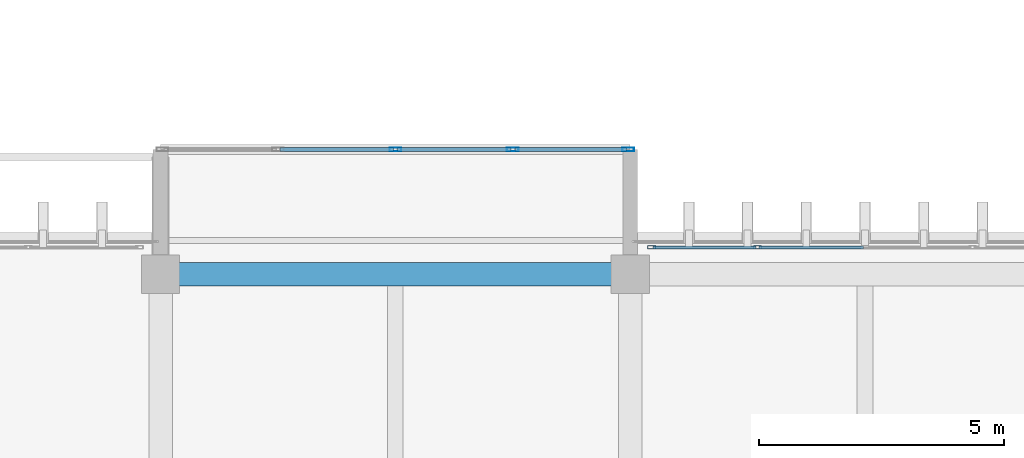
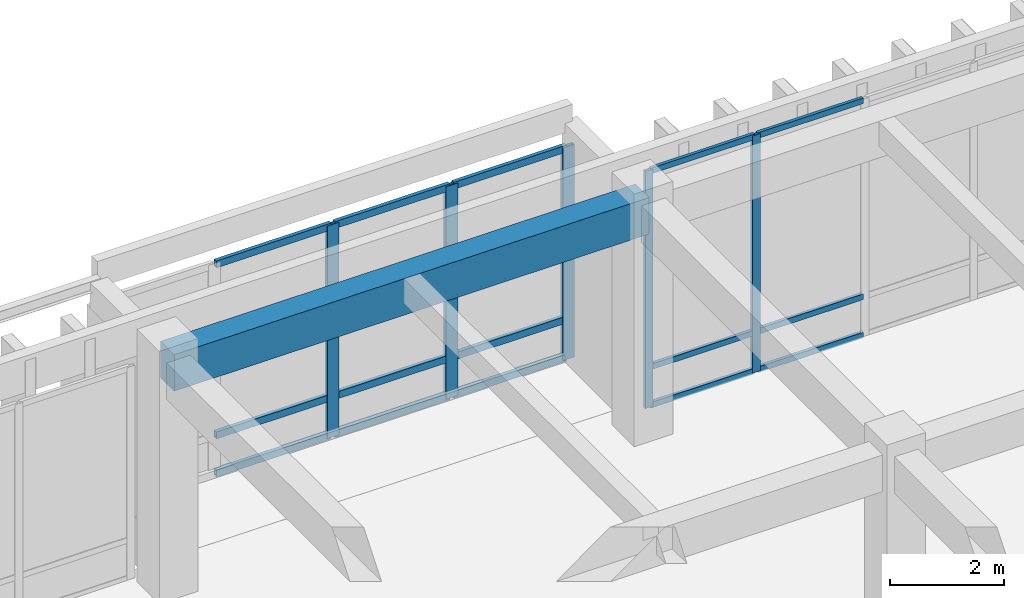
# One storey, part 50 of 134: 20 members, 1 beam, 2 elements without a shape of their own.
"""IFC4 building model written with IfcOpenShell, lengths in metres."""

from ifc_helpers import new_model, si_unit, direction, frame, origin, origin_2d, place, context, subcontext, project, spatial, rectangle, hollow_rectangle, extrude, material, layer, layer_set, material_profile, profile_set, type_object, element, aggregate, save


model = new_model("IFC4")

# Units and contexts
model_context = context("Model", 3, precision=1e-05, world=origin(), true_north=direction((0.0, 1.0)))
body_context = subcontext(model_context, "Body", "Model", "MODEL_VIEW")
ifc_project = project(units=[si_unit("LENGTHUNIT", "METRE"), si_unit("AREAUNIT", "SQUARE_METRE"), si_unit("VOLUMEUNIT", "CUBIC_METRE"), si_unit("PLANEANGLEUNIT", "RADIAN"), si_unit("MASSUNIT", "GRAM", prefix="KILO")], contexts=[model_context])

# Site, building, storey
site_placement = place(None, origin())
site = spatial("IfcSite", under=ifc_project, at=site_placement, CompositionType="ELEMENT")
building_placement = place(site_placement, origin())
building = spatial("IfcBuilding", under=site, at=building_placement, Name="Nakhvara Creek Congress Hotel", CompositionType="ELEMENT")
storey_placement = place(building_placement, frame((0.0, 0.0, 6.0)))
storey = spatial("IfcBuildingStorey", under=building, at=storey_placement, Name="L01", CompositionType="ELEMENT", Elevation=6.0)

# Beam
ifc_material_1 = material(Name="Concrete C40/50", Category="concrete")
ifc_material_profile_1 = material_profile(ifc_material_1, rectangle(XDim=0.47998046875, YDim=0.780029296875, at=origin_2d()), Name="RC-BM 480x780", Category="LoadBearing")
ifc_profile_set_1 = profile_set([ifc_material_profile_1], Name="Concrete C40/50")
beam_type = type_object("IfcBeamType", Name="BM-RC-480X780", PredefinedType="BEAM", material=ifc_profile_set_1)
beam_placement = place(storey_placement, frame((76.800048828125, 95.25, 4.7099609375), z_axis=(1.0, 0.0, 0.0), x_axis=(0.0, 1.0, 0.0)))
element("IfcBeam", 1, at=beam_placement, inside=storey, type_object=beam_type, Name="Beam B13-L01-1163", PredefinedType="BEAM", context=body_context, shape_type="SweptSolid", body=[
    extrude(rectangle(XDim=0.47998046875, YDim=0.780029296875, at=origin_2d()), origin(), (0.0, 0.0, 1.0), 9.599853515625),
])

# Curtain wall, members
ifc_material_2 = material(Name="Bronze-anodised aluminium AW-6063-T6 and double-silver low-E glass", Category="aluminium")
ifc_layer_1 = layer(ifc_material_2, 0.199951171875)
ifc_layer_set_1 = layer_set([ifc_layer_1], Name="Bronze-anodised aluminium AW-6063-T6 and double-silver low-E glass")
curtain_wall_type_1 = type_object("IfcCurtainWallType", Name="CW-POD-STICK", PredefinedType="NOTDEFINED", material=ifc_layer_set_1)
curtain_wall_1_placement = place(storey_placement, origin())
curtain_wall_1 = element("IfcCurtainWall", 2, at=curtain_wall_1_placement, inside=storey, type_object=curtain_wall_type_1, Name="Curtain Wall CW070", PredefinedType="NOTDEFINED")
ifc_material_3 = material(Name="Bronze-anodised aluminium AW-6063-T6", Category="aluminium")
ifc_material_profile_2 = material_profile(ifc_material_3, hollow_rectangle(XDim=0.06494140625, YDim=0.159912109375, WallThickness=0.00390625, at=origin_2d()), Name="ALU-MULL 65x160x4", Category="LoadBearing")
ifc_profile_set_2 = profile_set([ifc_material_profile_2], Name="Bronze-anodised aluminium AW-6063-T6")
member_type_1 = type_object("IfcMemberType", Name="CW-MULL-160", PredefinedType="MULLION", material=ifc_profile_set_2)
member_1_placement = place(storey_placement, frame((86.83740234375, 95.800048828125, 0.0), z_axis=(0.0, 0.0, 1.0), x_axis=(0.0, 1.0, 0.0)))
member_1 = element("IfcMember", 3, at=member_1_placement, type_object=member_type_1, Name="CW070 mullion 1", PredefinedType="MULLION", context=body_context, shape_type="SweptSolid", body=[
    extrude(hollow_rectangle(XDim=0.06494140625, YDim=0.159912109375, WallThickness=0.00390625, at=origin_2d()), origin(), (0.0, 0.0, 1.0), 5.070068359375),
])
member_2_placement = place(storey_placement, frame((89.00244140625, 95.800048828125, 0.0), z_axis=(0.0, 0.0, 1.0), x_axis=(0.0, 1.0, 0.0)))
member_2 = element("IfcMember", 4, at=member_2_placement, type_object=member_type_1, Name="CW070 mullion 2", PredefinedType="MULLION", context=body_context, shape_type="SweptSolid", body=[
    extrude(hollow_rectangle(XDim=0.06494140625, YDim=0.159912109375, WallThickness=0.00390625, at=origin_2d()), origin(), (0.0, 0.0, 1.0), 5.070068359375),
])

ifc_layer_2 = layer(ifc_material_2, 0.219970703125)
ifc_layer_set_2 = layer_set([ifc_layer_2], Name="Bronze-anodised aluminium AW-6063-T6 and double-silver low-E glass")
curtain_wall_type_2 = type_object("IfcCurtainWallType", Name="CW-BOX-PROJ", PredefinedType="USERDEFINED", material=ifc_layer_set_2)
curtain_wall_2_placement = place(storey_placement, origin())
curtain_wall_2 = element("IfcCurtainWall", 5, at=curtain_wall_2_placement, inside=storey, type_object=curtain_wall_type_2, Name="Curtain Wall CW065", ObjectType="UNITISED", PredefinedType="USERDEFINED")
ifc_material_profile_3 = material_profile(ifc_material_3, hollow_rectangle(XDim=0.080078125, YDim=0.239990234375, WallThickness=0.0048828125, at=origin_2d()), Name="ALU-MULL 80x240x5", Category="LoadBearing")
ifc_profile_set_3 = profile_set([ifc_material_profile_3], Name="Bronze-anodised aluminium AW-6063-T6")
member_type_2 = type_object("IfcMemberType", Name="CW-MULL-240", PredefinedType="MULLION", material=ifc_profile_set_3)
member_3_placement = place(storey_placement, frame((81.60009765625, 97.800048828125, 0.0), z_axis=(0.0, 0.0, 1.0), x_axis=(0.0, 1.0, 0.0)))
member_3 = element("IfcMember", 6, at=member_3_placement, type_object=member_type_2, Name="CW065 mullion 3", PredefinedType="MULLION", context=body_context, shape_type="SweptSolid", body=[
    extrude(hollow_rectangle(XDim=0.080078125, YDim=0.239990234375, WallThickness=0.0048828125, at=origin_2d()), origin(), (0.0, 0.0, 1.0), 4.5419921875),
])
member_4_placement = place(storey_placement, frame((84.0, 97.800048828125, 0.0), z_axis=(0.0, 0.0, 1.0), x_axis=(0.0, 1.0, 0.0)))
member_4 = element("IfcMember", 7, at=member_4_placement, type_object=member_type_2, Name="CW065 mullion 4", PredefinedType="MULLION", context=body_context, shape_type="SweptSolid", body=[
    extrude(hollow_rectangle(XDim=0.080078125, YDim=0.239990234375, WallThickness=0.0048828125, at=origin_2d()), origin(), (0.0, 0.0, 1.0), 4.5419921875),
])
member_5_placement = place(storey_placement, frame((86.360107421875, 97.800048828125, 0.0), z_axis=(0.0, 0.0, 1.0), x_axis=(0.0, 1.0, 0.0)))
member_5 = element("IfcMember", 8, at=member_5_placement, type_object=member_type_2, Name="CW065 mullion 5", PredefinedType="MULLION", context=body_context, shape_type="SweptSolid", body=[
    extrude(hollow_rectangle(XDim=0.080078125, YDim=0.239990234375, WallThickness=0.0048828125, at=origin_2d()), origin(), (0.0, 0.0, 1.0), 4.5419921875),
])

# Member
ifc_material_profile_4 = material_profile(ifc_material_3, hollow_rectangle(XDim=0.06494140625, YDim=0.1201171875, WallThickness=0.00390625, at=origin_2d()), Name="ALU-TRAN 65x120x4", Category="LoadBearing")
ifc_profile_set_4 = profile_set([ifc_material_profile_4], Name="Bronze-anodised aluminium AW-6063-T6")
member_type_3 = type_object("IfcMemberType", Name="CW-TRAN-120", PredefinedType="USERDEFINED", material=ifc_profile_set_4)
member_6_placement = place(storey_placement, frame((86.8701171875, 95.800048828125, 0.032470703125), z_axis=(1.0, 0.0, 0.0), x_axis=(0.0, 1.0, 0.0)))
member_6 = element("IfcMember", 9, at=member_6_placement, type_object=member_type_3, Name="CW070 transom 1.1", ObjectType="TRANSOM", PredefinedType="USERDEFINED", context=body_context, shape_type="SweptSolid", body=[
    extrude(hollow_rectangle(XDim=0.06494140625, YDim=0.1201171875, WallThickness=0.00390625, at=origin_2d()), origin(), (0.0, 0.0, 1.0), 2.099853515625),
])

member_7_placement = place(storey_placement, frame((86.8701171875, 95.800048828125, 0.85009765625), z_axis=(1.0, 0.0, 0.0), x_axis=(0.0, 1.0, 0.0)))
member_7 = element("IfcMember", 10, at=member_7_placement, type_object=member_type_3, Name="CW070 transom 1.2", ObjectType="TRANSOM", PredefinedType="USERDEFINED", context=body_context, shape_type="SweptSolid", body=[
    extrude(hollow_rectangle(XDim=0.06494140625, YDim=0.1201171875, WallThickness=0.00390625, at=origin_2d()), origin(), (0.0, 0.0, 1.0), 2.099853515625),
])

member_8_placement = place(storey_placement, frame((86.8701171875, 95.800048828125, 5.03759765625), z_axis=(1.0, 0.0, 0.0), x_axis=(0.0, 1.0, 0.0)))
member_8 = element("IfcMember", 11, at=member_8_placement, type_object=member_type_3, Name="CW070 transom 1.3", ObjectType="TRANSOM", PredefinedType="USERDEFINED", context=body_context, shape_type="SweptSolid", body=[
    extrude(hollow_rectangle(XDim=0.06494140625, YDim=0.1201171875, WallThickness=0.00390625, at=origin_2d()), origin(), (0.0, 0.0, 1.0), 2.099853515625),
])

member_9_placement = place(storey_placement, frame((89.034912109375, 95.800048828125, 0.032470703125), z_axis=(1.0, 0.0, 0.0), x_axis=(0.0, 1.0, 0.0)))
member_9 = element("IfcMember", 12, at=member_9_placement, type_object=member_type_3, Name="CW070 transom 2.1", ObjectType="TRANSOM", PredefinedType="USERDEFINED", context=body_context, shape_type="SweptSolid", body=[
    extrude(hollow_rectangle(XDim=0.06494140625, YDim=0.1201171875, WallThickness=0.00390625, at=origin_2d()), origin(), (0.0, 0.0, 1.0), 2.132568359375),
])

member_10_placement = place(storey_placement, frame((89.034912109375, 95.800048828125, 0.85009765625), z_axis=(1.0, 0.0, 0.0), x_axis=(0.0, 1.0, 0.0)))
member_10 = element("IfcMember", 13, at=member_10_placement, type_object=member_type_3, Name="CW070 transom 2.2", ObjectType="TRANSOM", PredefinedType="USERDEFINED", context=body_context, shape_type="SweptSolid", body=[
    extrude(hollow_rectangle(XDim=0.06494140625, YDim=0.1201171875, WallThickness=0.00390625, at=origin_2d()), origin(), (0.0, 0.0, 1.0), 2.132568359375),
])

member_11_placement = place(storey_placement, frame((89.034912109375, 95.800048828125, 5.03759765625), z_axis=(1.0, 0.0, 0.0), x_axis=(0.0, 1.0, 0.0)))
member_11 = element("IfcMember", 14, at=member_11_placement, type_object=member_type_3, Name="CW070 transom 2.3", ObjectType="TRANSOM", PredefinedType="USERDEFINED", context=body_context, shape_type="SweptSolid", body=[
    extrude(hollow_rectangle(XDim=0.06494140625, YDim=0.1201171875, WallThickness=0.00390625, at=origin_2d()), origin(), (0.0, 0.0, 1.0), 2.132568359375),
])

aggregate(curtain_wall_1, [member_1, member_2, member_6, member_7, member_8, member_9, member_10, member_11])

ifc_material_profile_5 = material_profile(ifc_material_3, hollow_rectangle(XDim=0.074951171875, YDim=0.14990234375, WallThickness=0.00390625, at=origin_2d()), Name="ALU-TRAN 75x150x4", Category="LoadBearing")
ifc_profile_set_5 = profile_set([ifc_material_profile_5], Name="Bronze-anodised aluminium AW-6063-T6")
member_type_4 = type_object("IfcMemberType", Name="CW-TRAN-150", PredefinedType="USERDEFINED", material=ifc_profile_set_5)
member_12_placement = place(storey_placement, frame((79.239990234375, 97.800048828125, 0.03759765625), z_axis=(1.0, 0.0, 0.0), x_axis=(0.0, 1.0, 0.0)))
member_12 = element("IfcMember", 15, at=member_12_placement, type_object=member_type_4, Name="CW065 transom 2.1", ObjectType="TRANSOM", PredefinedType="USERDEFINED", context=body_context, shape_type="SweptSolid", body=[
    extrude(hollow_rectangle(XDim=0.074951171875, YDim=0.14990234375, WallThickness=0.00390625, at=origin_2d()), origin(), (0.0, 0.0, 1.0), 2.320068359375),
])

member_13_placement = place(storey_placement, frame((79.239990234375, 97.800048828125, 0.85009765625), z_axis=(1.0, 0.0, 0.0), x_axis=(0.0, 1.0, 0.0)))
member_13 = element("IfcMember", 16, at=member_13_placement, type_object=member_type_4, Name="CW065 transom 2.2", ObjectType="TRANSOM", PredefinedType="USERDEFINED", context=body_context, shape_type="SweptSolid", body=[
    extrude(hollow_rectangle(XDim=0.074951171875, YDim=0.14990234375, WallThickness=0.00390625, at=origin_2d()), origin(), (0.0, 0.0, 1.0), 2.320068359375),
])

member_14_placement = place(storey_placement, frame((79.239990234375, 97.800048828125, 4.50439453125), z_axis=(1.0, 0.0, 0.0), x_axis=(0.0, 1.0, 0.0)))
member_14 = element("IfcMember", 17, at=member_14_placement, type_object=member_type_4, Name="CW065 transom 2.3", ObjectType="TRANSOM", PredefinedType="USERDEFINED", context=body_context, shape_type="SweptSolid", body=[
    extrude(hollow_rectangle(XDim=0.074951171875, YDim=0.14990234375, WallThickness=0.00390625, at=origin_2d()), origin(), (0.0, 0.0, 1.0), 2.320068359375),
])

member_15_placement = place(storey_placement, frame((81.639892578125, 97.800048828125, 0.03759765625), z_axis=(1.0, 0.0, 0.0), x_axis=(0.0, 1.0, 0.0)))
member_15 = element("IfcMember", 18, at=member_15_placement, type_object=member_type_4, Name="CW065 transom 3.1", ObjectType="TRANSOM", PredefinedType="USERDEFINED", context=body_context, shape_type="SweptSolid", body=[
    extrude(hollow_rectangle(XDim=0.074951171875, YDim=0.14990234375, WallThickness=0.00390625, at=origin_2d()), origin(), (0.0, 0.0, 1.0), 2.320068359375),
])

member_16_placement = place(storey_placement, frame((81.639892578125, 97.800048828125, 0.85009765625), z_axis=(1.0, 0.0, 0.0), x_axis=(0.0, 1.0, 0.0)))
member_16 = element("IfcMember", 19, at=member_16_placement, type_object=member_type_4, Name="CW065 transom 3.2", ObjectType="TRANSOM", PredefinedType="USERDEFINED", context=body_context, shape_type="SweptSolid", body=[
    extrude(hollow_rectangle(XDim=0.074951171875, YDim=0.14990234375, WallThickness=0.00390625, at=origin_2d()), origin(), (0.0, 0.0, 1.0), 2.320068359375),
])

member_17_placement = place(storey_placement, frame((81.639892578125, 97.800048828125, 4.50439453125), z_axis=(1.0, 0.0, 0.0), x_axis=(0.0, 1.0, 0.0)))
member_17 = element("IfcMember", 20, at=member_17_placement, type_object=member_type_4, Name="CW065 transom 3.3", ObjectType="TRANSOM", PredefinedType="USERDEFINED", context=body_context, shape_type="SweptSolid", body=[
    extrude(hollow_rectangle(XDim=0.074951171875, YDim=0.14990234375, WallThickness=0.00390625, at=origin_2d()), origin(), (0.0, 0.0, 1.0), 2.320068359375),
])

member_18_placement = place(storey_placement, frame((84.0400390625, 97.800048828125, 0.03759765625), z_axis=(1.0, 0.0, 0.0), x_axis=(0.0, 1.0, 0.0)))
member_18 = element("IfcMember", 21, at=member_18_placement, type_object=member_type_4, Name="CW065 transom 4.1", ObjectType="TRANSOM", PredefinedType="USERDEFINED", context=body_context, shape_type="SweptSolid", body=[
    extrude(hollow_rectangle(XDim=0.074951171875, YDim=0.14990234375, WallThickness=0.00390625, at=origin_2d()), origin(), (0.0, 0.0, 1.0), 2.280029296875),
])

member_19_placement = place(storey_placement, frame((84.0400390625, 97.800048828125, 0.85009765625), z_axis=(1.0, 0.0, 0.0), x_axis=(0.0, 1.0, 0.0)))
member_19 = element("IfcMember", 22, at=member_19_placement, type_object=member_type_4, Name="CW065 transom 4.2", ObjectType="TRANSOM", PredefinedType="USERDEFINED", context=body_context, shape_type="SweptSolid", body=[
    extrude(hollow_rectangle(XDim=0.074951171875, YDim=0.14990234375, WallThickness=0.00390625, at=origin_2d()), origin(), (0.0, 0.0, 1.0), 2.280029296875),
])

member_20_placement = place(storey_placement, frame((84.0400390625, 97.800048828125, 4.50439453125), z_axis=(1.0, 0.0, 0.0), x_axis=(0.0, 1.0, 0.0)))
member_20 = element("IfcMember", 23, at=member_20_placement, type_object=member_type_4, Name="CW065 transom 4.3", ObjectType="TRANSOM", PredefinedType="USERDEFINED", context=body_context, shape_type="SweptSolid", body=[
    extrude(hollow_rectangle(XDim=0.074951171875, YDim=0.14990234375, WallThickness=0.00390625, at=origin_2d()), origin(), (0.0, 0.0, 1.0), 2.280029296875),
])

aggregate(curtain_wall_2, [member_3, member_4, member_5, member_12, member_13, member_14, member_15, member_16, member_17, member_18, member_19, member_20])

save(model, "model.ifc")
